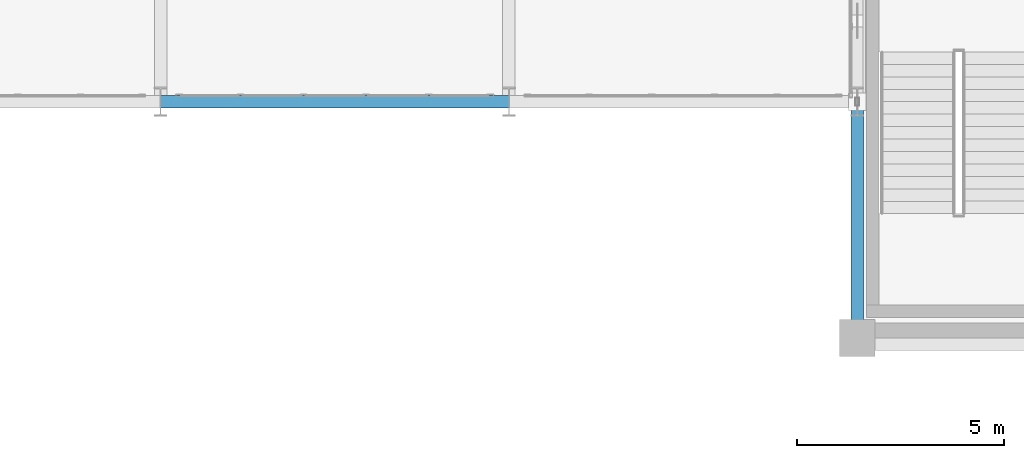
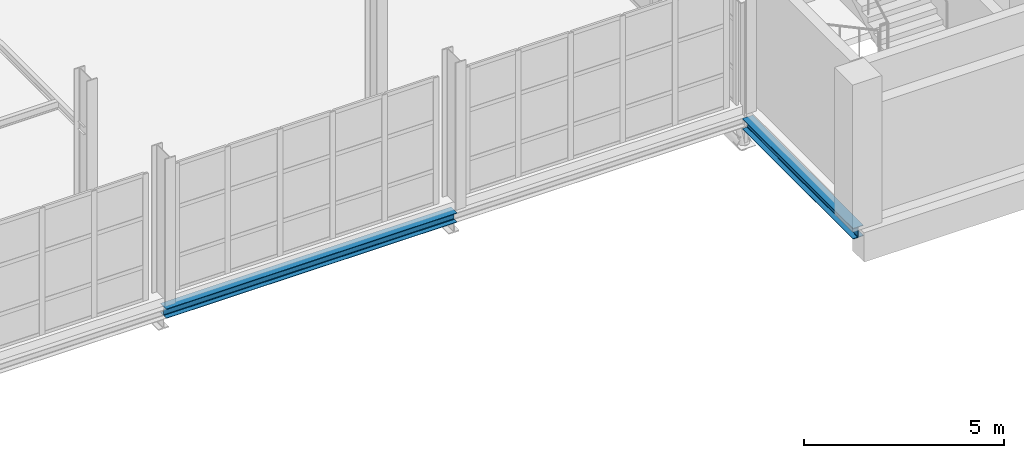
# One storey, part 13 of 130: 2 beams.
"""IFC4 building model written with IfcOpenShell, lengths in metres."""

from ifc_helpers import new_model, si_unit, direction, frame, origin, origin_2d, place, context, subcontext, project, spatial, i_section, extrude, material, material_profile, profile_set, type_object, element, save


model = new_model("IFC4")

# Units and contexts
model_context = context("Model", 3, precision=1e-05, world=origin(), true_north=direction((0.0, 1.0)))
body_context = subcontext(model_context, "Body", "Model", "MODEL_VIEW")
ifc_project = project(units=[si_unit("LENGTHUNIT", "METRE"), si_unit("AREAUNIT", "SQUARE_METRE"), si_unit("VOLUMEUNIT", "CUBIC_METRE"), si_unit("PLANEANGLEUNIT", "RADIAN"), si_unit("MASSUNIT", "GRAM", prefix="KILO")], contexts=[model_context])

# Site, building, storey
site_placement = place(None, origin())
site = spatial("IfcSite", under=ifc_project, at=site_placement, CompositionType="ELEMENT")
building_placement = place(site_placement, origin())
building = spatial("IfcBuilding", under=site, at=building_placement, Name="Veltarok Museum of Natural Sciences", CompositionType="ELEMENT")
storey_placement = place(building_placement, frame((0.0, 0.0, 12.89990234375)))
storey = spatial("IfcBuildingStorey", under=building, at=storey_placement, Name="L02", CompositionType="ELEMENT", Elevation=12.89990234375)

# Beams
ifc_material = material(Name="Steel S355J2", Category="steel")
ifc_material_profile_1 = material_profile(ifc_material, i_section(OverallWidth=0.300048828125, OverallDepth=0.2900390625, WebThickness=0.008544921875, FlangeThickness=0.013916015625, FilletRadius=0.027099609375, at=origin_2d()), Name="HEA 300")
ifc_profile_set_1 = profile_set([ifc_material_profile_1], Name="Steel S355J2")
beam_type_1 = type_object("IfcBeamType", Name="Glazed Hall Edge Spandrel HEA 300", PredefinedType="SPANDREL", material=ifc_profile_set_1)
beam_1_placement = place(storey_placement, frame((14.800048828125, 5.699951171875, -0.39501953125), z_axis=(1.0, 0.0, 0.0), x_axis=(0.0, 1.0, 0.0)))
element("IfcBeam", 1, at=beam_1_placement, inside=storey, type_object=beam_type_1, Name="Bridge South Edge Spandrel L02 2-3", PredefinedType="SPANDREL", context=body_context, shape_type="SweptSolid", body=[
    extrude(i_section(OverallWidth=0.300048828125, OverallDepth=0.2900390625, WebThickness=0.008544921875, FlangeThickness=0.013916015625, FilletRadius=0.027099609375, at=origin_2d()), origin(), (0.0, 0.0, 1.0), 8.39990234375),
])
ifc_material_profile_2 = material_profile(ifc_material, i_section(OverallWidth=0.300048828125, OverallDepth=0.330078125, WebThickness=0.009521484375, FlangeThickness=0.0166015625, FilletRadius=0.027099609375, at=origin_2d()), Name="HEA 340")
ifc_profile_set_2 = profile_set([ifc_material_profile_2], Name="Steel S355J2")
beam_type_2 = type_object("IfcBeamType", Name="Perimeter Upper Spandrel HEA 340", PredefinedType="SPANDREL", material=ifc_profile_set_2)
beam_2_placement = place(storey_placement, frame((31.60009765625, 0.0, -0.414794921875), z_axis=(0.0, 1.0, 0.0), x_axis=(-1.0, 0.0, 0.0)))
element("IfcBeam", 2, at=beam_2_placement, inside=storey, type_object=beam_type_2, Name="Beam BM-SP05 L02 4/A-B", PredefinedType="SPANDREL", context=body_context, shape_type="SweptSolid", body=[
    extrude(i_section(OverallWidth=0.300048828125, OverallDepth=0.330078125, WebThickness=0.009521484375, FlangeThickness=0.0166015625, FilletRadius=0.027099609375, at=origin_2d()), origin(), (0.0, 0.0, 1.0), 5.550048828125),
])

save(model, "model.ifc")
